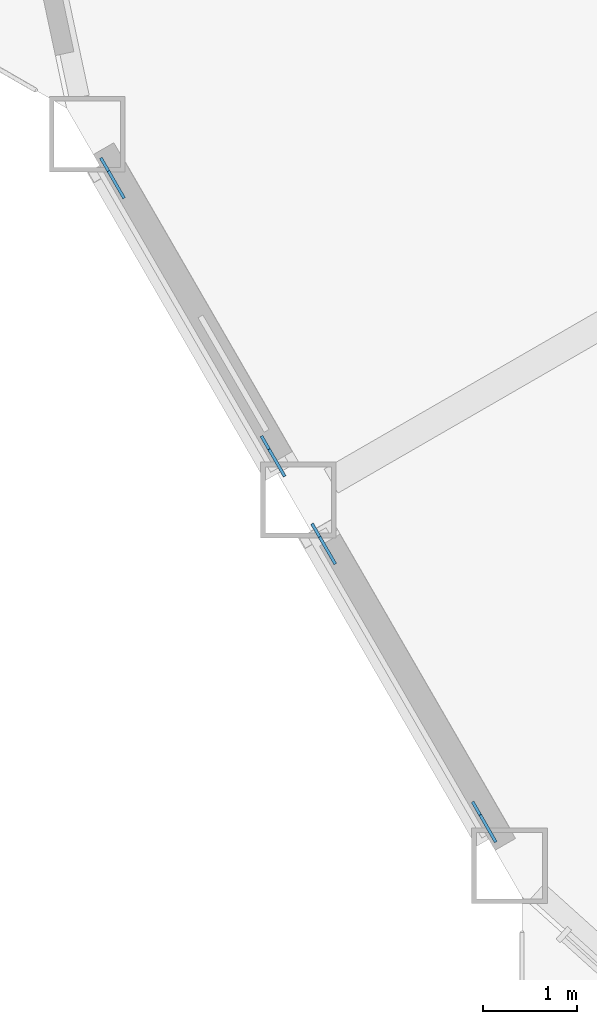
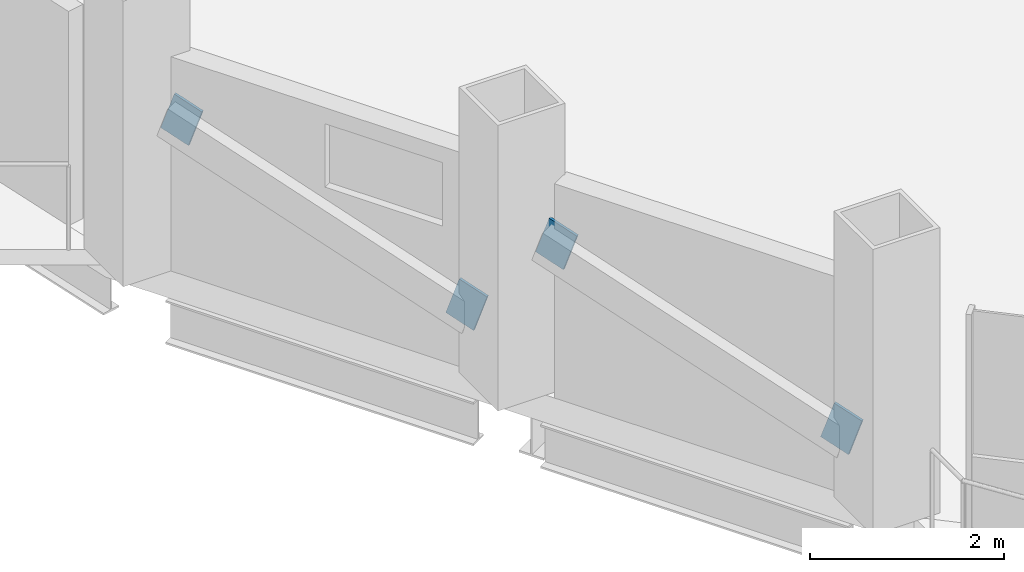
# One storey, part 15 of 22: 4 discrete accessories.
"""IFC4 building model written with IfcOpenShell, lengths in metres."""

import ifcopenshell
import ifcopenshell.guid

model = None  # the IFC model being written
_history = None  # IfcOwnerHistory: only IFC2X3 demands one
_inside = {}  # id of a spatial element -> (the spatial element, [elements in it])
_under = {}  # id of a project, library or spatial element -> (it, [spatial elements below it])
_declared = {}  # id of a project -> (the project, [libraries it declares])
_typed = {}  # id of a type object -> (the type object, [elements of that type])
_made_of = {}  # id of a material, layer set ... -> (it, [elements and type objects made of it])


def new_model(schema):
    """Start an empty IFC model of exactly this schema.

    Asked for "IFC4X3", IfcOpenShell would pick the latest addendum, in which some entities
    have other attributes; the version numbers below select the first issue.
    IFC2X3 requires an IfcOwnerHistory on every rooted entity: one is made here for all.
    """
    global model, _history
    if schema == "IFC4X3":
        model = ifcopenshell.file(schema_version=(4, 3, 0, 0))
    else:
        model = ifcopenshell.file(schema=schema)
    _inside.clear()
    _under.clear()
    _declared.clear()
    _typed.clear()
    _made_of.clear()
    _history = None
    if model.schema == "IFC2X3":
        org = make("IfcOrganization", Name="unknown")
        user = make(
            "IfcPersonAndOrganization",
            ThePerson=make("IfcPerson", FamilyName="unknown"),
            TheOrganization=org,
        )
        app = make(
            "IfcApplication",
            ApplicationDeveloper=org,
            Version="unknown",
            ApplicationFullName="unknown",
            ApplicationIdentifier="unknown",
        )
        _history = make(
            "IfcOwnerHistory",
            OwningUser=user,
            OwningApplication=app,
            ChangeAction="ADDED",
            CreationDate=0,
        )
    return model


def make(cls, **values):
    """One entity of the class cls with the attributes given. An attribute that is None is left unset."""
    return model.create_entity(
        cls, **{name: value for name, value in values.items() if value is not None}
    )


def rooted(cls, **values):
    """An entity with a GlobalId (a new one), such as an element, a storey or a relation."""
    return make(cls, GlobalId=ifcopenshell.guid.new(), OwnerHistory=_history, **values)


def si_unit(unit_type, name, prefix=None):
    """IfcSIUnit, for example si_unit("LENGTHUNIT", "METRE", prefix="MILLI")."""
    return make("IfcSIUnit", UnitType=unit_type, Prefix=prefix, Name=name)


def assignment(units):
    """IfcUnitAssignment: the units of a project."""
    return None if units is None else make("IfcUnitAssignment", Units=units)


def point(xyz):
    """IfcCartesianPoint."""
    return None if xyz is None else make("IfcCartesianPoint", Coordinates=xyz)


def direction(xyz):
    """IfcDirection."""
    return None if xyz is None else make("IfcDirection", DirectionRatios=xyz)


def frame(location, z_axis=None, x_axis=None):
    """IfcAxis2Placement3D, a coordinate frame: its origin and axes. An axis left out is left unset."""
    return make(
        "IfcAxis2Placement3D",
        Location=point(location),
        Axis=direction(z_axis),
        RefDirection=direction(x_axis),
    )


def frame_2d(location, x_axis=None):
    """IfcAxis2Placement2D, a coordinate frame in the plane: its origin and x axis."""
    return make(
        "IfcAxis2Placement2D", Location=point(location), RefDirection=direction(x_axis)
    )


def origin():
    """The frame at (0, 0, 0) with its axes left unset."""
    return frame((0.0, 0.0, 0.0))


def origin_2d():
    """The frame at (0, 0) in the plane with its x axis left unset."""
    return frame_2d((0.0, 0.0))


def place(relative_to, where):
    """IfcLocalPlacement: puts the frame where relative to a parent placement (None: the world)."""
    return make(
        "IfcLocalPlacement", PlacementRelTo=relative_to, RelativePlacement=where
    )


def context(
    kind, dimensions, precision=None, world=None, true_north=None, identifier=None
):
    """IfcGeometricRepresentationContext, for example the 3D "Model" context."""
    return make(
        "IfcGeometricRepresentationContext",
        ContextIdentifier=identifier,
        ContextType=kind,
        CoordinateSpaceDimension=dimensions,
        Precision=precision,
        WorldCoordinateSystem=world,
        TrueNorth=true_north,
    )


def subcontext(parent, identifier, kind, view, scale=None):
    """IfcGeometricRepresentationSubContext, for example "Body" below "Model"."""
    return make(
        "IfcGeometricRepresentationSubContext",
        ContextIdentifier=identifier,
        ContextType=kind,
        ParentContext=parent,
        TargetScale=scale,
        TargetView=view,
    )


def project(units=None, contexts=None):
    """IfcProject with its units and contexts."""
    return rooted(
        "IfcProject",
        Name="project",
        RepresentationContexts=contexts,
        UnitsInContext=assignment(units),
    )


def spatial(cls, under=None, at=None, **own):
    """A site, building, storey or space (cls), placed at a placement, below another one or the project."""
    s = rooted(cls, ObjectPlacement=at, **own)
    if under is not None:
        _under.setdefault(under.id(), (under, []))[1].append(s)
    return s


def profile(cls, at=None, kind="AREA", **sizes):
    """A parametric profile (cls). Its sizes go by their IFC names, for example OverallWidth=200.0."""
    return make(cls, ProfileType=kind, Position=at, **sizes)


def rectangle(**sizes):
    """IfcRectangleProfileDef."""
    return profile("IfcRectangleProfileDef", **sizes)


def extrude(swept, where, along, depth):
    """IfcExtrudedAreaSolid: the profile swept, set in the frame where, extruded along a direction by depth."""
    return make(
        "IfcExtrudedAreaSolid",
        SweptArea=swept,
        Position=where,
        ExtrudedDirection=direction(along),
        Depth=depth,
    )


def shape(context_of_items, identifier, shape_type, items):
    """IfcShapeRepresentation: the items that make up one representation, for example the "Body"."""
    return make(
        "IfcShapeRepresentation",
        ContextOfItems=context_of_items,
        RepresentationIdentifier=identifier,
        RepresentationType=shape_type,
        Items=items,
    )


def material(Name=None, Category=None):
    """IfcMaterial."""
    return make("IfcMaterial", Name=Name, Category=Category)


def material_profile(
    of_material, cross_section, Name=None, Category=None, Priority=None
):
    """IfcMaterialProfile: a cross section and its material."""
    return make(
        "IfcMaterialProfile",
        Name=Name,
        Material=of_material,
        Profile=cross_section,
        Priority=Priority,
        Category=Category,
    )


def profile_set(profiles, Name=None, composite=None):
    """IfcMaterialProfileSet."""
    return make(
        "IfcMaterialProfileSet",
        Name=Name,
        MaterialProfiles=profiles,
        CompositeProfile=composite,
    )


def made_of(thing, what):
    """Note that an element or type object is made of a material, layer set ...; save() writes the relation."""
    if what is not None:
        _made_of.setdefault(what.id(), (what, []))[1].append(thing)
    return thing


def type_object(cls, material=None, **own):
    """A type object (cls), such as IfcWallType, which elements share."""
    return made_of(rooted(cls, **own), material)


def element(
    cls,
    number,
    at=None,
    inside=None,
    cuts=None,
    type_object=None,
    material=None,
    context=None,
    identifier="Body",
    shape_type=None,
    held_by="IfcProductDefinitionShape",
    body=None,
    shapes=None,
    **own,
):
    """One element of the class cls, such as IfcWall. Its Tag is "e" and its number.

    at: its placement. inside: the storey or other place that contains it. cuts: it is an
    opening in that element (IfcRelVoidsElement). A single representation is given by context,
    identifier, shape_type and body (its items); several are given by shapes. held_by: the class
    of the entity that holds the representations. save() writes the other relations.
    """
    e = rooted(cls, Tag="e%d" % number, ObjectPlacement=at, **own)
    if body is not None:
        shapes = [shape(context, identifier, shape_type, body)]
    if shapes is not None:
        e.Representation = make(held_by, Representations=shapes)
    if inside is not None:
        _inside.setdefault(inside.id(), (inside, []))[1].append(e)
    if cuts is not None:
        rooted(
            "IfcRelVoidsElement", RelatingBuildingElement=cuts, RelatedOpeningElement=e
        )
    if type_object is not None:
        _typed.setdefault(type_object.id(), (type_object, []))[1].append(e)
    return made_of(e, material)


def aggregate(whole, parts):
    """IfcRelAggregates: a whole, such as a stair, and the parts it consists of."""
    return rooted("IfcRelAggregates", RelatingObject=whole, RelatedObjects=parts)


def save(model, path):
    """Write the relations noted so far, then the file.

    IfcRelAggregates (storeys below a building ...), IfcRelContainedInSpatialStructure (elements
    in a storey), IfcRelDefinesByType, IfcRelAssociatesMaterial and IfcRelDeclares: one each for
    every whole, place, type object, material and project.
    """
    for whole, parts in _under.values():
        aggregate(whole, parts)
    for where, things in _inside.values():
        rooted(
            "IfcRelContainedInSpatialStructure",
            RelatedElements=things,
            RelatingStructure=where,
        )
    for kind, things in _typed.values():
        rooted("IfcRelDefinesByType", RelatedObjects=things, RelatingType=kind)
    for what, things in _made_of.values():
        rooted("IfcRelAssociatesMaterial", RelatedObjects=things, RelatingMaterial=what)
    for by, libraries in _declared.values():
        rooted("IfcRelDeclares", RelatingContext=by, RelatedDefinitions=libraries)
    model.write(path)


model = new_model("IFC4")

# Units and contexts
model_context = context("Model", 3, precision=1e-05, world=origin(), true_north=direction((0.0, 1.0)))
body_context = subcontext(model_context, "Body", "Model", "MODEL_VIEW")
ifc_project = project(units=[si_unit("LENGTHUNIT", "METRE"), si_unit("AREAUNIT", "SQUARE_METRE"), si_unit("VOLUMEUNIT", "CUBIC_METRE"), si_unit("PLANEANGLEUNIT", "RADIAN"), si_unit("MASSUNIT", "GRAM", prefix="KILO")], contexts=[model_context])

# Site, building, storey
site_placement = place(None, origin())
site = spatial("IfcSite", under=ifc_project, at=site_placement, CompositionType="ELEMENT")
building_placement = place(site_placement, origin())
building = spatial("IfcBuilding", under=site, at=building_placement, Name="Cormorant Prow Tower", CompositionType="ELEMENT")
storey_placement = place(building_placement, frame((0.0, 0.0, 190.800048828125)))
storey = spatial("IfcBuildingStorey", under=building, at=storey_placement, Name="L41", CompositionType="ELEMENT", Elevation=190.800048828125)

# Discrete accessories
ifc_material = material(Name="Structural steel ASTM A500 Gr C", Category="steel")
ifc_material_profile = material_profile(ifc_material, rectangle(XDim=0.031982421875, YDim=0.506103515625, at=origin_2d()), Name="Gusset plate 32x506")
ifc_profile_set = profile_set([ifc_material_profile], Name="Structural steel ASTM A500 Gr C")
discrete_accessory_type = type_object("IfcDiscreteAccessoryType", Name="Gusset plate 32x506", PredefinedType="BRACKET", material=ifc_profile_set)
for number, where, z_axis, x_axis, name in (
    (1, (-28.40966796875, -15.59228515625, 0.83544921875), (0.4742777402, -0.820918970906, -0.31804507284), (0.86587923604, 0.500253084543, 0.0), "Gusset plate GP2 L41.WSW00.g0"),
    (2, (-29.943359375, -12.935791015625, 1.865234375), (-0.473631655621, 0.821008039272, 0.31877712315), (-0.866197837791, -0.499701216534, 0.0), "Gusset plate GP2 L41.WSW00.g1"),
):
    element("IfcDiscreteAccessory", number, at=place(storey_placement, frame(where, z_axis=z_axis, x_axis=x_axis)), inside=storey, type_object=discrete_accessory_type, Name=name, PredefinedType="BRACKET", context=body_context, shape_type="SweptSolid", body=[
        extrude(rectangle(XDim=0.031982421875, YDim=0.506103515625, at=origin_2d()), origin(), (0.0, 0.0, 1.0), 0.35009765625),
    ])
discrete_accessory_1_placement = place(storey_placement, frame((-26.17431640625, -19.463623046875, 0.83544921875), z_axis=(0.47373689254, -0.821190460264, -0.318150254784), x_axis=(0.866197837791, 0.499701216534, 0.0)))
element("IfcDiscreteAccessory", 3, at=discrete_accessory_1_placement, inside=storey, type_object=discrete_accessory_type, Name="Gusset plate GP2 L41.WSW01.g0", PredefinedType="BRACKET", context=body_context, shape_type="SweptSolid", body=[
    extrude(rectangle(XDim=0.031982421875, YDim=0.506103515625, at=origin_2d()), origin(), (0.0, 0.0, 1.0), 0.349853515625),
])
discrete_accessory_2_placement = place(storey_placement, frame((-27.7080078125, -16.807373046875, 1.865234375), z_axis=(-0.474172452765, 0.820736730742, 0.318671780755), x_axis=(-0.86587923604, -0.500253084543, 0.0)))
element("IfcDiscreteAccessory", 4, at=discrete_accessory_2_placement, inside=storey, type_object=discrete_accessory_type, Name="Gusset plate GP2 L41.WSW01.g1", PredefinedType="BRACKET", context=body_context, shape_type="SweptSolid", body=[
    extrude(rectangle(XDim=0.031982421875, YDim=0.506103515625, at=origin_2d()), origin(), (0.0, 0.0, 1.0), 0.35009765625),
])

save(model, "model.ifc")
